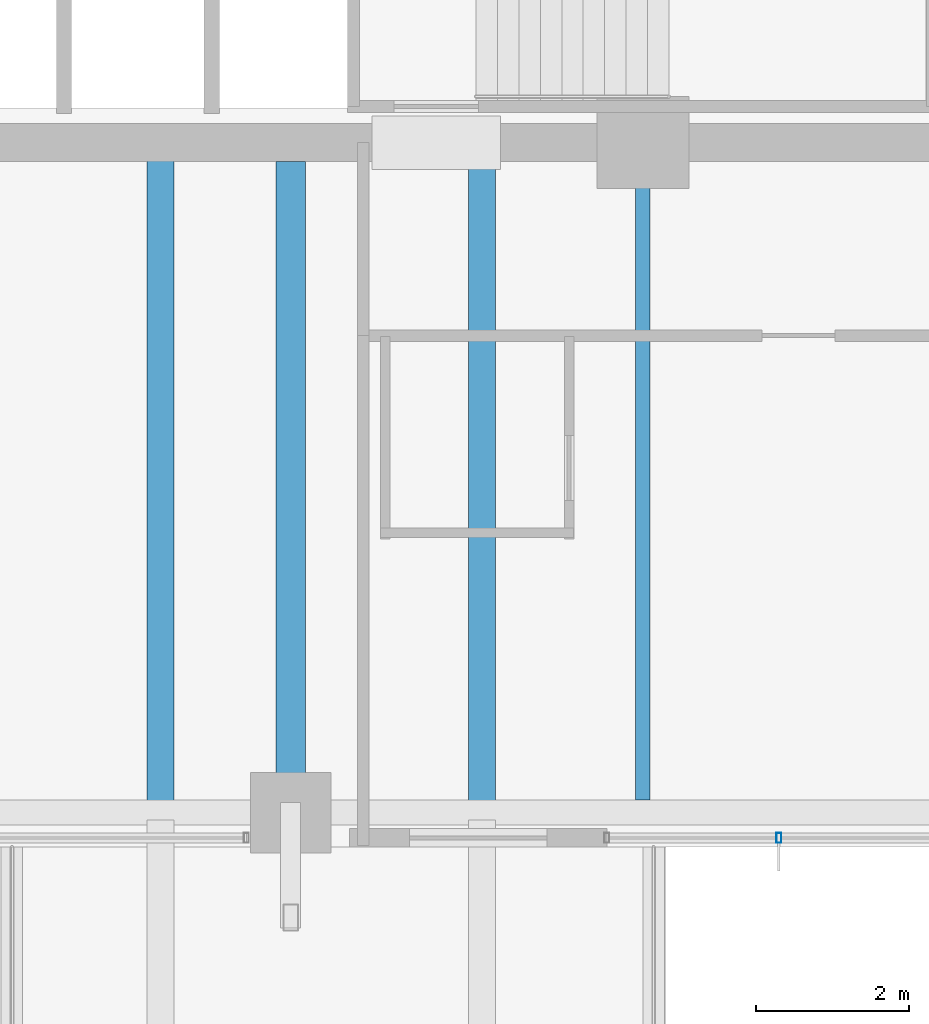
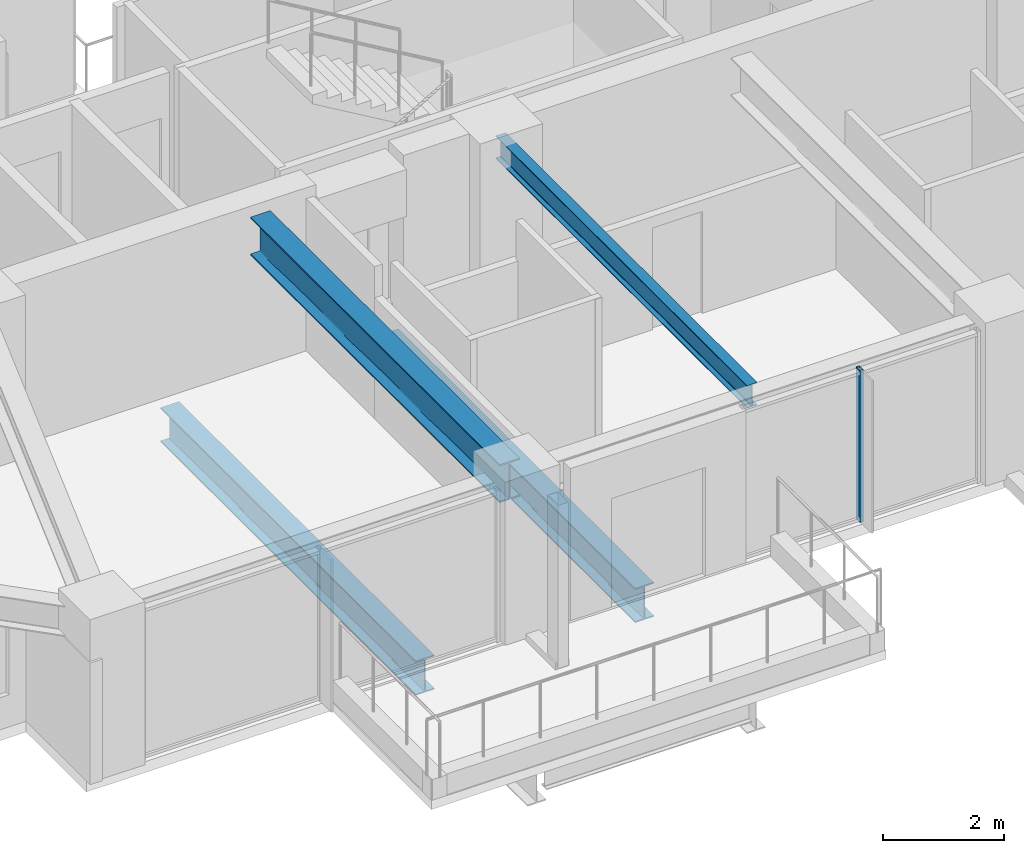
# One storey, part 5 of 38: 4 beams, 1 member, 1 element without a shape of its own.
"""IFC4 building model written with IfcOpenShell, lengths in metres."""

from ifc_helpers import new_model, si_unit, direction, frame, origin, origin_2d, place, context, subcontext, project, spatial, hollow_rectangle, i_section, extrude, material, material_profile, profile_set, type_object, element, aggregate, save


model = new_model("IFC4")

# Units and contexts
model_context = context("Model", 3, precision=1e-05, world=origin(), true_north=direction((0.0, 1.0)))
body_context = subcontext(model_context, "Body", "Model", "MODEL_VIEW")
ifc_project = project(units=[si_unit("LENGTHUNIT", "METRE"), si_unit("AREAUNIT", "SQUARE_METRE"), si_unit("VOLUMEUNIT", "CUBIC_METRE"), si_unit("PLANEANGLEUNIT", "RADIAN"), si_unit("MASSUNIT", "GRAM", prefix="KILO")], contexts=[model_context])

# Site, building, storey
site_placement = place(None, origin())
site = spatial("IfcSite", under=ifc_project, at=site_placement, CompositionType="ELEMENT")
building_placement = place(site_placement, origin())
building = spatial("IfcBuilding", under=site, at=building_placement, Name="Kolvaren Belvedere", CompositionType="ELEMENT")
storey_placement = place(building_placement, frame((0.0, 0.0, 121.699951171875)))
storey = spatial("IfcBuildingStorey", under=building, at=storey_placement, Name="L35", CompositionType="ELEMENT", Elevation=121.699951171875)

# Beams
ifc_material_1 = material(Name="Structural steel ASTM A992 Grade 50", Category="steel")
ifc_material_profile_1 = material_profile(ifc_material_1, i_section(OverallWidth=0.35498046875, OverallDepth=0.696044921875, WebThickness=0.015380859375, FlangeThickness=0.02490234375, FilletRadius=0.02197265625, at=origin_2d()), Name="W27X146")
ifc_profile_set_1 = profile_set([ifc_material_profile_1], Name="Structural steel ASTM A992 Grade 50")
beam_type_1 = type_object("IfcBeamType", Name="BM-GIRD-W27X146", PredefinedType="BEAM", material=ifc_profile_set_1)
for number, where, z_axis, x_axis, name in (
    (1, (-6.300048828125, -10.090087890625, -0.56787109375), (0.0, -1.0, 0.0), (1.0, 0.0, 0.0), "L35 Balcony Interior Back-Span Girder SPIRAL-05-S-1"),
    (2, (-2.10009765625, -10.090087890625, -0.56787109375), (0.0, -1.0, 0.0), (1.0, 0.0, 0.0), "L35 Balcony Interior Back-Span Girder SPIRAL-05-S-2"),
):
    element("IfcBeam", number, at=place(storey_placement, frame(where, z_axis=z_axis, x_axis=x_axis)), inside=storey, type_object=beam_type_1, Name=name, PredefinedType="BEAM", context=body_context, shape_type="SweptSolid", body=[
        extrude(i_section(OverallWidth=0.35498046875, OverallDepth=0.696044921875, WebThickness=0.015380859375, FlangeThickness=0.02490234375, FilletRadius=0.02197265625, at=origin_2d()), origin(), (0.0, 0.0, 1.0), 8.46484375),
    ])
ifc_material_2 = material(Name="Structural steel ASTM A992 Grade 50", Category="steel")
ifc_material_profile_2 = material_profile(ifc_material_2, i_section(OverallWidth=0.381103515625, OverallDepth=0.77294921875, WebThickness=0.0166015625, FlangeThickness=0.027099609375, FilletRadius=0.02392578125, at=origin_2d()), Name="W30X173")
ifc_profile_set_2 = profile_set([ifc_material_profile_2], Name="Structural steel ASTM A992 Grade 50")
beam_type_2 = type_object("IfcBeamType", Name="BM-GIRD-W30X173", PredefinedType="BEAM", material=ifc_profile_set_2)
beam_1_placement = place(storey_placement, frame((-4.60009765625, -10.14990234375, 2.693603515625), z_axis=(0.0, -1.0, 0.0), x_axis=(1.0, 0.0, 0.0)))
element("IfcBeam", 3, at=beam_1_placement, inside=storey, type_object=beam_type_2, Name="L35 South Radial Girder M", PredefinedType="BEAM", context=body_context, shape_type="SweptSolid", body=[
    extrude(i_section(OverallWidth=0.381103515625, OverallDepth=0.77294921875, WebThickness=0.0166015625, FlangeThickness=0.027099609375, FilletRadius=0.02392578125, at=origin_2d()), origin(), (0.0, 0.0, 1.0), 8.263916015625),
])
ifc_material_3 = material(Name="Structural steel ASTM A992 Grade 50", Category="steel")
ifc_material_profile_3 = material_profile(ifc_material_3, i_section(OverallWidth=0.19091796875, OverallDepth=0.4599609375, WebThickness=0.010009765625, FlangeThickness=0.01611328125, FilletRadius=0.014892578125, at=origin_2d()), Name="W18X55")
ifc_profile_set_3 = profile_set([ifc_material_profile_3], Name="Structural steel ASTM A992 Grade 50")
beam_type_3 = type_object("IfcBeamType", Name="BM-JOIST-W18X55", PredefinedType="BEAM", material=ifc_profile_set_3)
beam_2_placement = place(storey_placement, frame((0.0, -10.14990234375, 2.85009765625), z_axis=(0.0, -1.0, 0.0), x_axis=(1.0, 0.0, 0.0)))
element("IfcBeam", 4, at=beam_2_placement, inside=storey, type_object=beam_type_3, Name="L35 South Centre Floor Beam", PredefinedType="BEAM", context=body_context, shape_type="SweptSolid", body=[
    extrude(i_section(OverallWidth=0.19091796875, OverallDepth=0.4599609375, WebThickness=0.010009765625, FlangeThickness=0.01611328125, FilletRadius=0.014892578125, at=origin_2d()), origin(), (0.0, 0.0, 1.0), 8.337646484375),
])

# Curtain wall, member
ifc_material_4 = material(Name="Anodised pale-metal aluminium AA 6063-T6", Category="aluminium")
curtain_wall_type = type_object("IfcCurtainWallType", Name="CW-Z3-WAIST", PredefinedType="NOTDEFINED", material=ifc_material_4)
curtain_wall_placement = place(storey_placement, origin())
curtain_wall = element("IfcCurtainWall", 5, at=curtain_wall_placement, inside=storey, type_object=curtain_wall_type, Name="L35 Unitised Curtain Wall FCW-L35-S1-B2", PredefinedType="NOTDEFINED")
ifc_material_5 = material(Name="Anodised pale-metal aluminium AA 6063-T6", Category="aluminium")
ifc_material_profile_4 = material_profile(ifc_material_5, hollow_rectangle(XDim=0.06494140625, YDim=0.1298828125, WallThickness=0.00390625, at=origin_2d()), Name="ALU-MUL-130X65")
ifc_profile_set_4 = profile_set([ifc_material_profile_4], Name="Anodised pale-metal aluminium AA 6063-T6")
member_type = type_object("IfcMemberType", Name="CW-MUL-130", PredefinedType="MULLION", material=ifc_profile_set_4)
member_placement = place(storey_placement, frame((1.7763671875, -18.97998046875, 0.0), z_axis=(0.0, 0.0, 1.0), x_axis=(1.0, 0.0, 0.0)))
member = element("IfcMember", 6, at=member_placement, type_object=member_type, Name="FCW-L35-S1-B2 Unitised Mullion 2", PredefinedType="MULLION", context=body_context, shape_type="SweptSolid", body=[
    extrude(hollow_rectangle(XDim=0.06494140625, YDim=0.1298828125, WallThickness=0.00390625, at=origin_2d()), origin(), (0.0, 0.0, 1.0), 3.080078125),
])
aggregate(curtain_wall, [member])

save(model, "model.ifc")
